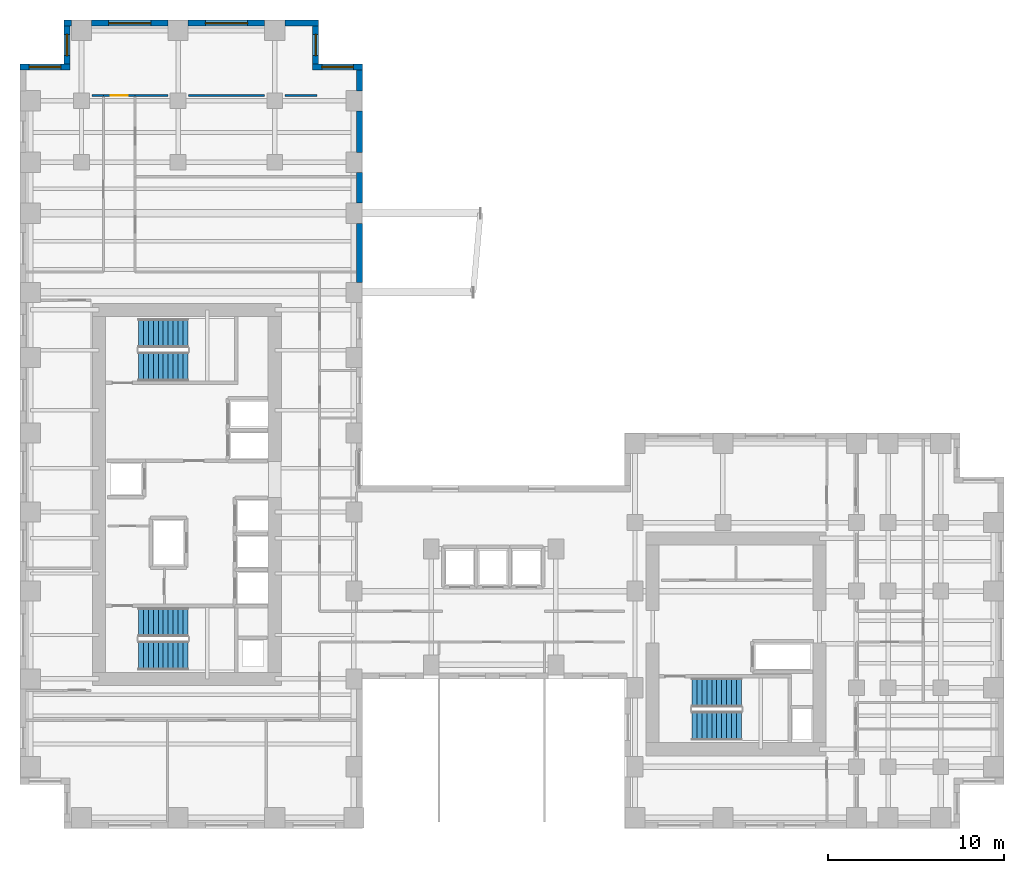
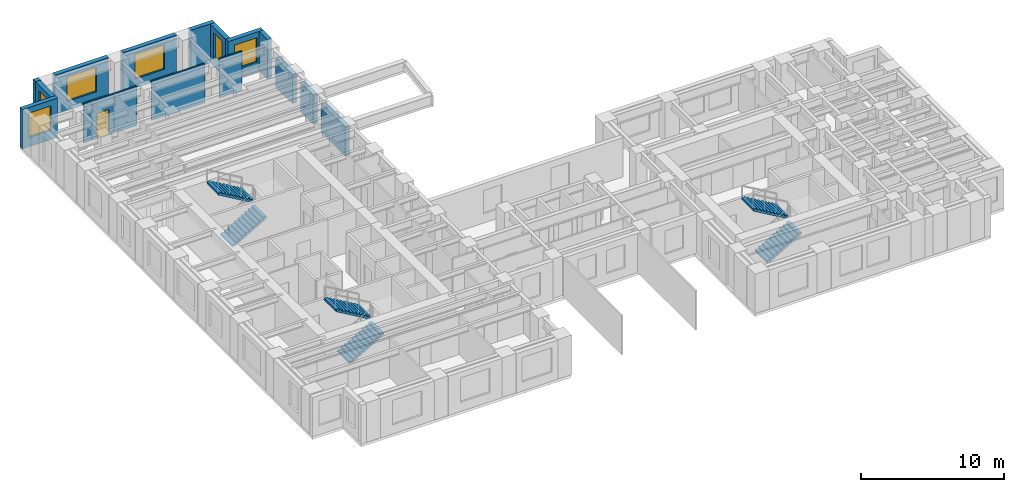
# One storey, part 11 of 13: 17 walls, 6 stair flights, 6 windows, 1 door, 7 openings, 3 elements without a shape of their own.
"""IFC4 building model written with IfcOpenShell, lengths in metres."""

import ifcopenshell
import ifcopenshell.guid

model = None  # the IFC model being written
_history = None  # IfcOwnerHistory: only IFC2X3 demands one
_inside = {}  # id of a spatial element -> (the spatial element, [elements in it])
_under = {}  # id of a project, library or spatial element -> (it, [spatial elements below it])
_declared = {}  # id of a project -> (the project, [libraries it declares])
_typed = {}  # id of a type object -> (the type object, [elements of that type])
_made_of = {}  # id of a material, layer set ... -> (it, [elements and type objects made of it])


def new_model(schema):
    """Start an empty IFC model of exactly this schema.

    Asked for "IFC4X3", IfcOpenShell would pick the latest addendum, in which some entities
    have other attributes; the version numbers below select the first issue.
    IFC2X3 requires an IfcOwnerHistory on every rooted entity: one is made here for all.
    """
    global model, _history
    if schema == "IFC4X3":
        model = ifcopenshell.file(schema_version=(4, 3, 0, 0))
    else:
        model = ifcopenshell.file(schema=schema)
    _inside.clear()
    _under.clear()
    _declared.clear()
    _typed.clear()
    _made_of.clear()
    _history = None
    if model.schema == "IFC2X3":
        org = make("IfcOrganization", Name="unknown")
        user = make(
            "IfcPersonAndOrganization",
            ThePerson=make("IfcPerson", FamilyName="unknown"),
            TheOrganization=org,
        )
        app = make(
            "IfcApplication",
            ApplicationDeveloper=org,
            Version="unknown",
            ApplicationFullName="unknown",
            ApplicationIdentifier="unknown",
        )
        _history = make(
            "IfcOwnerHistory",
            OwningUser=user,
            OwningApplication=app,
            ChangeAction="ADDED",
            CreationDate=0,
        )
    return model


def make(cls, **values):
    """One entity of the class cls with the attributes given. An attribute that is None is left unset."""
    return model.create_entity(
        cls, **{name: value for name, value in values.items() if value is not None}
    )


def rooted(cls, **values):
    """An entity with a GlobalId (a new one), such as an element, a storey or a relation."""
    return make(cls, GlobalId=ifcopenshell.guid.new(), OwnerHistory=_history, **values)


def si_unit(unit_type, name, prefix=None):
    """IfcSIUnit, for example si_unit("LENGTHUNIT", "METRE", prefix="MILLI")."""
    return make("IfcSIUnit", UnitType=unit_type, Prefix=prefix, Name=name)


def assignment(units):
    """IfcUnitAssignment: the units of a project."""
    return None if units is None else make("IfcUnitAssignment", Units=units)


def point(xyz):
    """IfcCartesianPoint."""
    return None if xyz is None else make("IfcCartesianPoint", Coordinates=xyz)


def direction(xyz):
    """IfcDirection."""
    return None if xyz is None else make("IfcDirection", DirectionRatios=xyz)


def frame(location, z_axis=None, x_axis=None):
    """IfcAxis2Placement3D, a coordinate frame: its origin and axes. An axis left out is left unset."""
    return make(
        "IfcAxis2Placement3D",
        Location=point(location),
        Axis=direction(z_axis),
        RefDirection=direction(x_axis),
    )


def frame_2d(location, x_axis=None):
    """IfcAxis2Placement2D, a coordinate frame in the plane: its origin and x axis."""
    return make(
        "IfcAxis2Placement2D", Location=point(location), RefDirection=direction(x_axis)
    )


def origin():
    """The frame at (0, 0, 0) with its axes left unset."""
    return frame((0.0, 0.0, 0.0))


def place(relative_to, where):
    """IfcLocalPlacement: puts the frame where relative to a parent placement (None: the world)."""
    return make(
        "IfcLocalPlacement", PlacementRelTo=relative_to, RelativePlacement=where
    )


def context(
    kind, dimensions, precision=None, world=None, true_north=None, identifier=None
):
    """IfcGeometricRepresentationContext, for example the 3D "Model" context."""
    return make(
        "IfcGeometricRepresentationContext",
        ContextIdentifier=identifier,
        ContextType=kind,
        CoordinateSpaceDimension=dimensions,
        Precision=precision,
        WorldCoordinateSystem=world,
        TrueNorth=true_north,
    )


def subcontext(parent, identifier, kind, view, scale=None):
    """IfcGeometricRepresentationSubContext, for example "Body" below "Model"."""
    return make(
        "IfcGeometricRepresentationSubContext",
        ContextIdentifier=identifier,
        ContextType=kind,
        ParentContext=parent,
        TargetScale=scale,
        TargetView=view,
    )


def project(units=None, contexts=None):
    """IfcProject with its units and contexts."""
    return rooted(
        "IfcProject",
        Name="project",
        RepresentationContexts=contexts,
        UnitsInContext=assignment(units),
    )


def spatial(cls, under=None, at=None, **own):
    """A site, building, storey or space (cls), placed at a placement, below another one or the project."""
    s = rooted(cls, ObjectPlacement=at, **own)
    if under is not None:
        _under.setdefault(under.id(), (under, []))[1].append(s)
    return s


def polyline(points):
    """IfcPolyline through the points."""
    return make("IfcPolyline", Points=[point(p) for p in points])


def profile(cls, at=None, kind="AREA", **sizes):
    """A parametric profile (cls). Its sizes go by their IFC names, for example OverallWidth=200.0."""
    return make(cls, ProfileType=kind, Position=at, **sizes)


def rectangle(**sizes):
    """IfcRectangleProfileDef."""
    return profile("IfcRectangleProfileDef", **sizes)


def outline(outer, holes=None, kind="AREA"):
    """IfcArbitraryClosedProfileDef: a profile drawn as a closed curve; with holes, ...WithVoids."""
    if holes is None:
        return make("IfcArbitraryClosedProfileDef", ProfileType=kind, OuterCurve=outer)
    return make(
        "IfcArbitraryProfileDefWithVoids",
        ProfileType=kind,
        OuterCurve=outer,
        InnerCurves=holes,
    )


def extrude(swept, where, along, depth):
    """IfcExtrudedAreaSolid: the profile swept, set in the frame where, extruded along a direction by depth."""
    return make(
        "IfcExtrudedAreaSolid",
        SweptArea=swept,
        Position=where,
        ExtrudedDirection=direction(along),
        Depth=depth,
    )


def shape(context_of_items, identifier, shape_type, items):
    """IfcShapeRepresentation: the items that make up one representation, for example the "Body"."""
    return make(
        "IfcShapeRepresentation",
        ContextOfItems=context_of_items,
        RepresentationIdentifier=identifier,
        RepresentationType=shape_type,
        Items=items,
    )


def source(mapping_origin, context_of_items, identifier, shape_type, items):
    """IfcRepresentationMap: a shape defined once, which mapped items show again and again."""
    return make(
        "IfcRepresentationMap",
        MappingOrigin=mapping_origin,
        MappedRepresentation=shape(context_of_items, identifier, shape_type, items),
    )


def transform(
    local_origin,
    x_axis=None,
    y_axis=None,
    z_axis=None,
    scale=None,
    scale2=None,
    scale3=None,
    uniform=True,
):
    """IfcCartesianTransformationOperator3D, or its non-uniform kind. x_axis, y_axis, z_axis: its Axis1, 2, 3."""
    if uniform:
        return make(
            "IfcCartesianTransformationOperator3D",
            Axis1=direction(x_axis),
            Axis2=direction(y_axis),
            LocalOrigin=point(local_origin),
            Scale=scale,
            Axis3=direction(z_axis),
        )
    return make(
        "IfcCartesianTransformationOperator3DnonUniform",
        Axis1=direction(x_axis),
        Axis2=direction(y_axis),
        LocalOrigin=point(local_origin),
        Scale=scale,
        Axis3=direction(z_axis),
        Scale2=scale2,
        Scale3=scale3,
    )


def mapped(mapping_source, mapping_target):
    """IfcMappedItem: shows the shape of a source again, moved by a transform."""
    return make(
        "IfcMappedItem", MappingSource=mapping_source, MappingTarget=mapping_target
    )


def material(Name=None, Category=None):
    """IfcMaterial."""
    return make("IfcMaterial", Name=Name, Category=Category)


def layer(
    of_material, thickness, ventilated=None, Name=None, Category=None, Priority=None
):
    """IfcMaterialLayer: one layer of a wall or slab, of a material (None: an air gap)."""
    return make(
        "IfcMaterialLayer",
        Material=of_material,
        LayerThickness=thickness,
        IsVentilated=ventilated,
        Name=Name,
        Category=Category,
        Priority=Priority,
    )


def layer_set(layers, Name=None):
    """IfcMaterialLayerSet."""
    return make("IfcMaterialLayerSet", MaterialLayers=layers, LayerSetName=Name)


def made_of(thing, what):
    """Note that an element or type object is made of a material, layer set ...; save() writes the relation."""
    if what is not None:
        _made_of.setdefault(what.id(), (what, []))[1].append(thing)
    return thing


def type_object(cls, material=None, **own):
    """A type object (cls), such as IfcWallType, which elements share."""
    return made_of(rooted(cls, **own), material)


def element(
    cls,
    number,
    at=None,
    inside=None,
    cuts=None,
    type_object=None,
    material=None,
    context=None,
    identifier="Body",
    shape_type=None,
    held_by="IfcProductDefinitionShape",
    body=None,
    shapes=None,
    **own,
):
    """One element of the class cls, such as IfcWall. Its Tag is "e" and its number.

    at: its placement. inside: the storey or other place that contains it. cuts: it is an
    opening in that element (IfcRelVoidsElement). A single representation is given by context,
    identifier, shape_type and body (its items); several are given by shapes. held_by: the class
    of the entity that holds the representations. save() writes the other relations.
    """
    e = rooted(cls, Tag="e%d" % number, ObjectPlacement=at, **own)
    if body is not None:
        shapes = [shape(context, identifier, shape_type, body)]
    if shapes is not None:
        e.Representation = make(held_by, Representations=shapes)
    if inside is not None:
        _inside.setdefault(inside.id(), (inside, []))[1].append(e)
    if cuts is not None:
        rooted(
            "IfcRelVoidsElement", RelatingBuildingElement=cuts, RelatedOpeningElement=e
        )
    if type_object is not None:
        _typed.setdefault(type_object.id(), (type_object, []))[1].append(e)
    return made_of(e, material)


def fill(opening, filler):
    """IfcRelFillsElement: the door or window that sits in an opening."""
    return rooted(
        "IfcRelFillsElement",
        RelatingOpeningElement=opening,
        RelatedBuildingElement=filler,
    )


def aggregate(whole, parts):
    """IfcRelAggregates: a whole, such as a stair, and the parts it consists of."""
    return rooted("IfcRelAggregates", RelatingObject=whole, RelatedObjects=parts)


def save(model, path):
    """Write the relations noted so far, then the file.

    IfcRelAggregates (storeys below a building ...), IfcRelContainedInSpatialStructure (elements
    in a storey), IfcRelDefinesByType, IfcRelAssociatesMaterial and IfcRelDeclares: one each for
    every whole, place, type object, material and project.
    """
    for whole, parts in _under.values():
        aggregate(whole, parts)
    for where, things in _inside.values():
        rooted(
            "IfcRelContainedInSpatialStructure",
            RelatedElements=things,
            RelatingStructure=where,
        )
    for kind, things in _typed.values():
        rooted("IfcRelDefinesByType", RelatedObjects=things, RelatingType=kind)
    for what, things in _made_of.values():
        rooted("IfcRelAssociatesMaterial", RelatedObjects=things, RelatingMaterial=what)
    for by, libraries in _declared.values():
        rooted("IfcRelDeclares", RelatingContext=by, RelatedDefinitions=libraries)
    model.write(path)


model = new_model("IFC4")

# Units and contexts
model_context = context("Model", 3, precision=1e-05, world=origin(), true_north=direction((0.0, 1.0)))
body_context = subcontext(model_context, "Body", "Model", "MODEL_VIEW")
ifc_project = project(units=[si_unit("LENGTHUNIT", "METRE"), si_unit("AREAUNIT", "SQUARE_METRE"), si_unit("VOLUMEUNIT", "CUBIC_METRE"), si_unit("PLANEANGLEUNIT", "RADIAN"), si_unit("MASSUNIT", "GRAM", prefix="KILO")], contexts=[model_context])

# Site, building, storey
site_placement = place(None, origin())
site = spatial("IfcSite", under=ifc_project, at=site_placement, CompositionType="ELEMENT")
building_placement = place(site_placement, origin())
building = spatial("IfcBuilding", under=site, at=building_placement, Name="Kharzan Plaza Tower", CompositionType="ELEMENT")
storey_placement = place(building_placement, frame((0.0, 0.0, 95.39990234375)))
storey = spatial("IfcBuildingStorey", under=building, at=storey_placement, Name="L25", CompositionType="ELEMENT", Elevation=95.39990234375)

# Wall, opening, window
ifc_material_1 = material(Name="Concrete C40/50", Category="concrete")
ifc_layer_1 = layer(ifc_material_1, 0.35009765625)
ifc_layer_set_1 = layer_set([ifc_layer_1], Name="Concrete C40/50")
wall_type_1 = type_object("IfcWallType", Name="WL-EXT-MAS-Z2", PredefinedType="SOLIDWALL", material=ifc_layer_set_1)
wall_1_placement = place(storey_placement, frame((19.5, 43.324951171875, 0.0), z_axis=(0.0, 0.0, 1.0), x_axis=(-1.0, 0.0, 0.0)))
wall_1 = element("IfcWall", 1, at=wall_1_placement, inside=storey, type_object=wall_type_1, Name="L25 Masonry-Frame Exterior Wall 08", PredefinedType="SOLIDWALL", context=body_context, shape_type="SweptSolid", body=[
    extrude(rectangle(XDim=2.85009765625, YDim=0.35009765625, at=frame_2d((1.425048828125, 0.0))), origin(), (0.0, 0.0, 1.0), 3.364990234375),
])
opening_1_placement = place(wall_1_placement, frame((0.52490234375, 0.0, 0.780029296875)))
opening_1 = element("IfcOpeningElement", 2, at=opening_1_placement, cuts=wall_1, Name="Opening W1", PredefinedType="OPENING", context=body_context, shape_type="SweptSolid", body=[
    extrude(rectangle(XDim=1.800048828125, YDim=2.10009765625, at=frame_2d((0.89990234375, 1.050048828125))), frame((0.0, 0.18505859375, 0.0), z_axis=(0.0, -1.0, 0.0), x_axis=(1.0, 0.0, 0.0)), (0.0, 0.0, 1.0), 0.3701171875),
])
ifc_material_2 = material(Name="Low-E Double Glazing", Category="glass")
window_type_1 = type_object("IfcWindowType", Name="WN-REC-1800x2100", PartitioningType="SINGLE_PANEL", PredefinedType="WINDOW", material=ifc_material_2)
shared_shape_1 = source(origin(), body_context, "Body", "SweptSolid", [
    extrude(rectangle(XDim=1.800048828125, YDim=2.10009765625, at=frame_2d((0.89990234375, 1.050048828125))), frame((0.0, 0.030029296875, 0.0), z_axis=(0.0, -1.0, 0.0), x_axis=(1.0, 0.0, 0.0)), (0.0, 0.0, 1.0), 0.06005859375),
])
window_1_placement = place(opening_1_placement, origin())
window_1 = element("IfcWindow", 3, at=window_1_placement, inside=storey, type_object=window_type_1, Name="L25 Recessed Solar-Control Window 08-1", OverallHeight=2.10009765625, OverallWidth=1.800048828125, PartitioningType="SINGLE_PANEL", PredefinedType="WINDOW", context=body_context, shape_type="MappedRepresentation", body=[
    mapped(shared_shape_1, transform((0.0, 0.0, 0.0), x_axis=(1.0, 0.0, 0.0), y_axis=(0.0, 1.0, 0.0), z_axis=(0.0, 0.0, 1.0))),
])
fill(opening_1, window_1)

wall_2_placement = place(storey_placement, frame((16.824951171875, 43.498046875, 0.0), z_axis=(0.0, 0.0, 1.0), x_axis=(0.0, 1.0, 0.0)))
wall_2 = element("IfcWall", 4, at=wall_2_placement, inside=storey, type_object=wall_type_1, Name="L25 Masonry-Frame Exterior Wall 09", PredefinedType="SOLIDWALL", context=body_context, shape_type="SweptSolid", body=[
    extrude(rectangle(XDim=2.154052734375, YDim=0.35009765625, at=frame_2d((1.0771484375, 0.0))), origin(), (0.0, 0.0, 1.0), 3.364990234375),
])
opening_2_placement = place(wall_2_placement, frame((0.47705078125, 0.0, 0.780029296875)))
opening_2 = element("IfcOpeningElement", 5, at=opening_2_placement, cuts=wall_2, Name="Opening W3", PredefinedType="OPENING", context=body_context, shape_type="SweptSolid", body=[
    extrude(rectangle(XDim=1.199951171875, YDim=2.10009765625, at=frame_2d((0.60009765625, 1.050048828125))), frame((0.0, 0.18505859375, 0.0), z_axis=(0.0, -1.0, 0.0), x_axis=(1.0, 0.0, 0.0)), (0.0, 0.0, 1.0), 0.3701171875),
])
window_type_2 = type_object("IfcWindowType", Name="WN-REC-1200x2100", PartitioningType="SINGLE_PANEL", PredefinedType="WINDOW", material=ifc_material_2)
shared_shape_2 = source(origin(), body_context, "Body", "SweptSolid", [
    extrude(rectangle(XDim=1.199951171875, YDim=2.10009765625, at=frame_2d((0.60009765625, 1.050048828125))), frame((0.0, 0.030029296875, 0.0), z_axis=(0.0, -1.0, 0.0), x_axis=(1.0, 0.0, 0.0)), (0.0, 0.0, 1.0), 0.06005859375),
])
window_2_placement = place(opening_2_placement, origin())
window_2 = element("IfcWindow", 6, at=window_2_placement, inside=storey, type_object=window_type_2, Name="L25 Recessed Solar-Control Window 09-1", OverallHeight=2.10009765625, OverallWidth=1.199951171875, PartitioningType="SINGLE_PANEL", PredefinedType="WINDOW", context=body_context, shape_type="MappedRepresentation", body=[
    mapped(shared_shape_2, transform((0.0, 0.0, 0.0), x_axis=(1.0, 0.0, 0.0), y_axis=(0.0, 1.0, 0.0), z_axis=(0.0, 0.0, 1.0))),
])
fill(opening_2, window_2)

wall_3_placement = place(storey_placement, frame((13.927001953125, 45.824951171875, 0.0), z_axis=(0.0, 0.0, 1.0), x_axis=(-1.0, 0.0, 0.0)))
wall_3 = element("IfcWall", 7, at=wall_3_placement, inside=storey, type_object=wall_type_1, Name="L25 Masonry-Frame Exterior Wall 11", PredefinedType="SOLIDWALL", context=body_context, shape_type="SweptSolid", body=[
    extrude(rectangle(XDim=4.35400390625, YDim=0.35009765625, at=frame_2d((2.177001953125, 0.0))), origin(), (0.0, 0.0, 1.0), 3.364990234375),
])
opening_3_placement = place(wall_3_placement, frame((0.97705078125, 0.0, 0.780029296875)))
opening_3 = element("IfcOpeningElement", 8, at=opening_3_placement, cuts=wall_3, Name="Opening W2", PredefinedType="OPENING", context=body_context, shape_type="SweptSolid", body=[
    extrude(rectangle(XDim=2.39990234375, YDim=2.10009765625, at=frame_2d((1.199951171875, 1.050048828125))), frame((0.0, 0.18505859375, 0.0), z_axis=(0.0, -1.0, 0.0), x_axis=(1.0, 0.0, 0.0)), (0.0, 0.0, 1.0), 0.3701171875),
])
window_type_3 = type_object("IfcWindowType", Name="WN-REC-2400x2100", PartitioningType="SINGLE_PANEL", PredefinedType="WINDOW", material=ifc_material_2)
shared_shape_3 = source(origin(), body_context, "Body", "SweptSolid", [
    extrude(rectangle(XDim=2.39990234375, YDim=2.10009765625, at=frame_2d((1.199951171875, 1.050048828125))), frame((0.0, 0.030029296875, 0.0), z_axis=(0.0, -1.0, 0.0), x_axis=(1.0, 0.0, 0.0)), (0.0, 0.0, 1.0), 0.06005859375),
])
window_3_placement = place(opening_3_placement, origin())
window_3 = element("IfcWindow", 9, at=window_3_placement, inside=storey, type_object=window_type_3, Name="L25 Wide Recessed Solar-Control Window 11-1", OverallHeight=2.10009765625, OverallWidth=2.39990234375, PartitioningType="SINGLE_PANEL", PredefinedType="WINDOW", context=body_context, shape_type="MappedRepresentation", body=[
    mapped(shared_shape_3, transform((0.0, 0.0, 0.0), x_axis=(1.0, 0.0, 0.0), y_axis=(0.0, 1.0, 0.0), z_axis=(0.0, 0.0, 1.0))),
])
fill(opening_3, window_3)

wall_4_placement = place(storey_placement, frame((8.427001953125, 45.824951171875, 0.0), z_axis=(0.0, 0.0, 1.0), x_axis=(-1.0, 0.0, 0.0)))
wall_4 = element("IfcWall", 10, at=wall_4_placement, inside=storey, type_object=wall_type_1, Name="L25 Masonry-Frame Exterior Wall 12", PredefinedType="SOLIDWALL", context=body_context, shape_type="SweptSolid", body=[
    extrude(rectangle(XDim=4.35400390625, YDim=0.35009765625, at=frame_2d((2.177001953125, 0.0))), origin(), (0.0, 0.0, 1.0), 3.364990234375),
])
opening_4_placement = place(wall_4_placement, frame((0.97705078125, 0.0, 0.780029296875)))
opening_4 = element("IfcOpeningElement", 11, at=opening_4_placement, cuts=wall_4, Name="Opening W2", PredefinedType="OPENING", context=body_context, shape_type="SweptSolid", body=[
    extrude(rectangle(XDim=2.39990234375, YDim=2.10009765625, at=frame_2d((1.199951171875, 1.050048828125))), frame((0.0, 0.18505859375, 0.0), z_axis=(0.0, -1.0, 0.0), x_axis=(1.0, 0.0, 0.0)), (0.0, 0.0, 1.0), 0.3701171875),
])
window_4_placement = place(opening_4_placement, origin())
window_4 = element("IfcWindow", 12, at=window_4_placement, inside=storey, type_object=window_type_3, Name="L25 Wide Recessed Solar-Control Window 12-1", OverallHeight=2.10009765625, OverallWidth=2.39990234375, PartitioningType="SINGLE_PANEL", PredefinedType="WINDOW", context=body_context, shape_type="MappedRepresentation", body=[
    mapped(shared_shape_3, transform((0.0, 0.0, 0.0), x_axis=(1.0, 0.0, 0.0), y_axis=(0.0, 1.0, 0.0), z_axis=(0.0, 0.0, 1.0))),
])
fill(opening_4, window_4)

wall_5_placement = place(storey_placement, frame((2.675048828125, 45.652099609375, 0.0), z_axis=(0.0, 0.0, 1.0), x_axis=(0.0, -1.0, 0.0)))
wall_5 = element("IfcWall", 13, at=wall_5_placement, inside=storey, type_object=wall_type_1, Name="L25 Masonry-Frame Exterior Wall 14", PredefinedType="SOLIDWALL", context=body_context, shape_type="SweptSolid", body=[
    extrude(rectangle(XDim=2.154052734375, YDim=0.35009765625, at=frame_2d((1.0771484375, 0.0))), origin(), (0.0, 0.0, 1.0), 3.364990234375),
])
opening_5_placement = place(wall_5_placement, frame((0.47705078125, 0.0, 0.780029296875)))
opening_5 = element("IfcOpeningElement", 14, at=opening_5_placement, cuts=wall_5, Name="Opening W3", PredefinedType="OPENING", context=body_context, shape_type="SweptSolid", body=[
    extrude(rectangle(XDim=1.199951171875, YDim=2.10009765625, at=frame_2d((0.60009765625, 1.050048828125))), frame((0.0, 0.18505859375, 0.0), z_axis=(0.0, -1.0, 0.0), x_axis=(1.0, 0.0, 0.0)), (0.0, 0.0, 1.0), 0.3701171875),
])
window_5_placement = place(opening_5_placement, origin())
window_5 = element("IfcWindow", 15, at=window_5_placement, inside=storey, type_object=window_type_2, Name="L25 Recessed Solar-Control Window 14-1", OverallHeight=2.10009765625, OverallWidth=1.199951171875, PartitioningType="SINGLE_PANEL", PredefinedType="WINDOW", context=body_context, shape_type="MappedRepresentation", body=[
    mapped(shared_shape_2, transform((0.0, 0.0, 0.0), x_axis=(1.0, 0.0, 0.0), y_axis=(0.0, 1.0, 0.0), z_axis=(0.0, 0.0, 1.0))),
])
fill(opening_5, window_5)

wall_6_placement = place(storey_placement, frame((2.85009765625, 43.324951171875, 0.0), z_axis=(0.0, 0.0, 1.0), x_axis=(-1.0, 0.0, 0.0)))
wall_6 = element("IfcWall", 16, at=wall_6_placement, inside=storey, type_object=wall_type_1, Name="L25 Masonry-Frame Exterior Wall 15", PredefinedType="SOLIDWALL", context=body_context, shape_type="SweptSolid", body=[
    extrude(rectangle(XDim=2.85009765625, YDim=0.35009765625, at=frame_2d((1.425048828125, 0.0))), origin(), (0.0, 0.0, 1.0), 3.364990234375),
])
opening_6_placement = place(wall_6_placement, frame((0.52490234375, 0.0, 0.780029296875)))
opening_6 = element("IfcOpeningElement", 17, at=opening_6_placement, cuts=wall_6, Name="Opening W1", PredefinedType="OPENING", context=body_context, shape_type="SweptSolid", body=[
    extrude(rectangle(XDim=1.800048828125, YDim=2.10009765625, at=frame_2d((0.89990234375, 1.050048828125))), frame((0.0, 0.18505859375, 0.0), z_axis=(0.0, -1.0, 0.0), x_axis=(1.0, 0.0, 0.0)), (0.0, 0.0, 1.0), 0.3701171875),
])
window_6_placement = place(opening_6_placement, origin())
window_6 = element("IfcWindow", 18, at=window_6_placement, inside=storey, type_object=window_type_1, Name="L25 Recessed Solar-Control Window 15-1", OverallHeight=2.10009765625, OverallWidth=1.800048828125, PartitioningType="SINGLE_PANEL", PredefinedType="WINDOW", context=body_context, shape_type="MappedRepresentation", body=[
    mapped(shared_shape_1, transform((0.0, 0.0, 0.0), x_axis=(1.0, 0.0, 0.0), y_axis=(0.0, 1.0, 0.0), z_axis=(0.0, 0.0, 1.0))),
])
fill(opening_6, window_6)

# Wall, opening, door
ifc_material_3 = material(Name="Fire-Rated Gypsum Board Partition", Category="gypsum")
ifc_layer_2 = layer(ifc_material_3, 0.125)
ifc_layer_set_2 = layer_set([ifc_layer_2], Name="Fire-Rated Gypsum Board Partition")
wall_type_2 = type_object("IfcWallType", Name="WL-INT-PART-125", PredefinedType="PARTITIONING", material=ifc_layer_set_2)
wall_7_placement = place(storey_placement, frame((4.75, 41.699951171875, 0.0), z_axis=(0.0, 0.0, 1.0), x_axis=(1.0, 0.0, 0.0)))
wall_7 = element("IfcWall", 19, at=wall_7_placement, inside=storey, type_object=wall_type_2, Name="L25 Interior Partition SH-SPHD", PredefinedType="PARTITIONING", context=body_context, shape_type="SweptSolid", body=[
    extrude(rectangle(XDim=1.800048828125, YDim=0.125, at=frame_2d((0.89990234375, 0.0))), origin(), (0.0, 0.0, 1.0), 3.364990234375),
])
opening_7_placement = place(wall_7_placement, frame((0.425048828125, 0.0, 0.0)))
opening_7 = element("IfcOpeningElement", 20, at=opening_7_placement, cuts=wall_7, Name="Opening OD1", PredefinedType="OPENING", context=body_context, shape_type="SweptSolid", body=[
    extrude(rectangle(XDim=0.949951171875, YDim=2.14990234375, at=frame_2d((0.47509765625, 1.074951171875))), frame((0.0, 0.072509765625, 0.0), z_axis=(0.0, -1.0, 0.0), x_axis=(1.0, 0.0, 0.0)), (0.0, 0.0, 1.0), 0.14501953125),
])
ifc_material_4 = material(Name="Acoustic Solid-Core Stained Oak", Category="timber")
door_type = type_object("IfcDoorType", Name="DR-OFF-SINGLE", OperationType="NOTDEFINED", PredefinedType="DOOR", material=ifc_material_4)
shared_shape_4 = source(origin(), body_context, "Body", "SweptSolid", [
    extrude(rectangle(XDim=0.949951171875, YDim=2.14990234375, at=frame_2d((0.47509765625, 1.074951171875))), frame((0.0, 0.02490234375, 0.0), z_axis=(0.0, -1.0, 0.0), x_axis=(1.0, 0.0, 0.0)), (0.0, 0.0, 1.0), 0.050048828125),
])
door_placement = place(opening_7_placement, origin())
door = element("IfcDoor", 21, at=door_placement, inside=storey, type_object=door_type, Name="L25 North Boardroom Door", OperationType="SINGLE_SWING_RIGHT", OverallHeight=2.14990234375, OverallWidth=0.949951171875, PredefinedType="DOOR", context=body_context, shape_type="MappedRepresentation", body=[
    mapped(shared_shape_4, transform((0.0, 0.0, 0.0), x_axis=(1.0, 0.0, 0.0), y_axis=(0.0, 1.0, 0.0), z_axis=(0.0, 0.0, 1.0))),
])
fill(opening_7, door)

# Walls
shared_shape_5 = source(origin(), body_context, "Body", "SweptSolid", [
    extrude(rectangle(XDim=1.927001953125, YDim=0.35009765625, at=frame_2d((0.96337890625, 0.0))), origin(), (0.0, 0.0, 1.0), 3.364990234375),
])
wall_8_placement = place(storey_placement, frame((17.0, 45.824951171875, 0.0), z_axis=(0.0, 0.0, 1.0), x_axis=(-1.0, 0.0, 0.0)))
element("IfcWall", 22, at=wall_8_placement, inside=storey, type_object=wall_type_1, Name="L25 Masonry-Frame Exterior Wall 10", PredefinedType="SOLIDWALL", context=body_context, shape_type="MappedRepresentation", body=[
    mapped(shared_shape_5, transform((0.0, 0.0, 0.0), x_axis=(1.0, 0.0, 0.0), y_axis=(0.0, 1.0, 0.0), z_axis=(0.0, 0.0, 1.0))),
])
shared_shape_6 = source(origin(), body_context, "Body", "SweptSolid", [
    extrude(rectangle(XDim=0.427001953125, YDim=0.35009765625, at=frame_2d((0.21337890625, 0.0))), origin(), (0.0, 0.0, 1.0), 3.364990234375),
])
wall_9_placement = place(storey_placement, frame((2.927001953125, 45.824951171875, 0.0), z_axis=(0.0, 0.0, 1.0), x_axis=(-1.0, 0.0, 0.0)))
element("IfcWall", 23, at=wall_9_placement, inside=storey, type_object=wall_type_1, Name="L25 Masonry-Frame Exterior Wall 13", PredefinedType="SOLIDWALL", context=body_context, shape_type="MappedRepresentation", body=[
    mapped(shared_shape_6, transform((0.0, 0.0, 0.0), x_axis=(1.0, 0.0, 0.0), y_axis=(0.0, 1.0, 0.0), z_axis=(0.0, 0.0, 1.0))),
])
shared_shape_7 = source(origin(), body_context, "Body", "SweptSolid", [
    extrude(rectangle(XDim=1.17919921875, YDim=0.35009765625, at=frame_2d((0.589599609375, 0.0))), origin(), (0.0, 0.0, 1.0), 3.364990234375),
])
wall_10_placement = place(storey_placement, frame((19.324951171875, 41.972900390625, 0.0), z_axis=(0.0, 0.0, 1.0), x_axis=(0.0, 1.0, 0.0)))
element("IfcWall", 24, at=wall_10_placement, inside=storey, type_object=wall_type_1, Name="L25 Masonry-Frame Exterior Wall 07", PredefinedType="SOLIDWALL", context=body_context, shape_type="MappedRepresentation", body=[
    mapped(shared_shape_7, transform((0.0, 0.0, 0.0), x_axis=(1.0, 0.0, 0.0), y_axis=(0.0, 1.0, 0.0), z_axis=(0.0, 0.0, 1.0))),
])
shared_shape_8 = source(origin(), body_context, "Body", "SweptSolid", [
    extrude(rectangle(XDim=1.75390625, YDim=0.35009765625, at=frame_2d((0.876953125, 0.0))), origin(), (0.0, 0.0, 1.0), 2.51904296875),
])
wall_11_placement = place(storey_placement, frame((19.324951171875, 35.572998046875, 0.0), z_axis=(0.0, 0.0, 1.0), x_axis=(0.0, 1.0, 0.0)))
element("IfcWall", 25, at=wall_11_placement, inside=storey, type_object=wall_type_1, Name="L25 Masonry-Frame Exterior Wall 05", PredefinedType="SOLIDWALL", context=body_context, shape_type="MappedRepresentation", body=[
    mapped(shared_shape_8, transform((0.0, 0.0, 0.0), x_axis=(1.0, 0.0, 0.0), y_axis=(0.0, 1.0, 0.0), z_axis=(0.0, 0.0, 1.0))),
])
shared_shape_9 = source(origin(), body_context, "Body", "SweptSolid", [
    extrude(rectangle(XDim=3.35400390625, YDim=0.35009765625, at=frame_2d((1.677001953125, 0.0))), origin(), (0.0, 0.0, 1.0), 2.51904296875),
])
wall_12_placement = place(storey_placement, frame((19.324951171875, 31.072998046875, 0.0), z_axis=(0.0, 0.0, 1.0), x_axis=(0.0, 1.0, 0.0)))
element("IfcWall", 26, at=wall_12_placement, inside=storey, type_object=wall_type_1, Name="L25 Masonry-Frame Exterior Wall 04", PredefinedType="SOLIDWALL", context=body_context, shape_type="MappedRepresentation", body=[
    mapped(shared_shape_9, transform((0.0, 0.0, 0.0), x_axis=(1.0, 0.0, 0.0), y_axis=(0.0, 1.0, 0.0), z_axis=(0.0, 0.0, 1.0))),
])
shared_shape_10 = source(origin(), body_context, "Body", "SweptSolid", [
    extrude(rectangle(XDim=2.35400390625, YDim=0.35009765625, at=frame_2d((1.177001953125, 0.0))), origin(), (0.0, 0.0, 1.0), 2.51904296875),
])
wall_13_placement = place(storey_placement, frame((19.324951171875, 38.472900390625, 0.0), z_axis=(0.0, 0.0, 1.0), x_axis=(0.0, 1.0, 0.0)))
element("IfcWall", 27, at=wall_13_placement, inside=storey, type_object=wall_type_1, Name="L25 Masonry-Frame Exterior Wall 06", PredefinedType="SOLIDWALL", context=body_context, shape_type="MappedRepresentation", body=[
    mapped(shared_shape_10, transform((0.0, 0.0, 0.0), x_axis=(1.0, 0.0, 0.0), y_axis=(0.0, 1.0, 0.0), z_axis=(0.0, 0.0, 1.0))),
])
shared_shape_11 = source(origin(), body_context, "Body", "SweptSolid", [
    extrude(rectangle(XDim=0.659912109375, YDim=0.125, at=frame_2d((0.330078125, 0.0))), origin(), (0.0, 0.0, 1.0), 3.364990234375),
])
wall_14_placement = place(storey_placement, frame((4.090087890625, 41.699951171875, 0.0), z_axis=(0.0, 0.0, 1.0), x_axis=(1.0, 0.0, 0.0)))
element("IfcWall", 28, at=wall_14_placement, inside=storey, type_object=wall_type_2, Name="L25 Interior Partition SH-SPHW", PredefinedType="PARTITIONING", context=body_context, shape_type="MappedRepresentation", body=[
    mapped(shared_shape_11, transform((0.0, 0.0, 0.0), x_axis=(1.0, 0.0, 0.0), y_axis=(0.0, 1.0, 0.0), z_axis=(0.0, 0.0, 1.0))),
])
shared_shape_12 = source(origin(), body_context, "Body", "SweptSolid", [
    extrude(rectangle(XDim=1.85986328125, YDim=0.125, at=frame_2d((0.929931640625, 0.0))), origin(), (0.0, 0.0, 1.0), 3.364990234375),
])
wall_15_placement = place(storey_placement, frame((6.550048828125, 41.699951171875, 0.0), z_axis=(0.0, 0.0, 1.0), x_axis=(1.0, 0.0, 0.0)))
element("IfcWall", 29, at=wall_15_placement, inside=storey, type_object=wall_type_2, Name="L25 Interior Partition SH-SPHE-S1", PredefinedType="PARTITIONING", context=body_context, shape_type="MappedRepresentation", body=[
    mapped(shared_shape_12, transform((0.0, 0.0, 0.0), x_axis=(1.0, 0.0, 0.0), y_axis=(0.0, 1.0, 0.0), z_axis=(0.0, 0.0, 1.0))),
])
shared_shape_13 = source(origin(), body_context, "Body", "SweptSolid", [
    extrude(rectangle(XDim=4.31982421875, YDim=0.125, at=frame_2d((2.159912109375, 0.0))), origin(), (0.0, 0.0, 1.0), 3.364990234375),
])
wall_16_placement = place(storey_placement, frame((9.590087890625, 41.699951171875, 0.0), z_axis=(0.0, 0.0, 1.0), x_axis=(1.0, 0.0, 0.0)))
element("IfcWall", 30, at=wall_16_placement, inside=storey, type_object=wall_type_2, Name="L25 Interior Partition SH-SPHE-S2", PredefinedType="PARTITIONING", context=body_context, shape_type="MappedRepresentation", body=[
    mapped(shared_shape_13, transform((0.0, 0.0, 0.0), x_axis=(1.0, 0.0, 0.0), y_axis=(0.0, 1.0, 0.0), z_axis=(0.0, 0.0, 1.0))),
])
shared_shape_14 = source(origin(), body_context, "Body", "SweptSolid", [
    extrude(rectangle(XDim=1.809814453125, YDim=0.125, at=frame_2d((0.90478515625, 0.0))), origin(), (0.0, 0.0, 1.0), 3.364990234375),
])
wall_17_placement = place(storey_placement, frame((15.090087890625, 41.699951171875, 0.0), z_axis=(0.0, 0.0, 1.0), x_axis=(1.0, 0.0, 0.0)))
element("IfcWall", 31, at=wall_17_placement, inside=storey, type_object=wall_type_2, Name="L25 Interior Partition SH-SPHE-S3", PredefinedType="PARTITIONING", context=body_context, shape_type="MappedRepresentation", body=[
    mapped(shared_shape_14, transform((0.0, 0.0, 0.0), x_axis=(1.0, 0.0, 0.0), y_axis=(0.0, 1.0, 0.0), z_axis=(0.0, 0.0, 1.0))),
])

# Stair, stair flights
stair_type_1 = type_object("IfcStairType", Name="STR-ST-1", PredefinedType="HALF_TURN_STAIR", material=ifc_material_1)
stair_1_placement = place(storey_placement, origin())
stair_1 = element("IfcStair", 32, at=stair_1_placement, inside=storey, type_object=stair_type_1, Name="L25 Protected Exit Stair ST-1", PredefinedType="HALF_TURN_STAIR")
stair_flight_type = type_object("IfcStairFlightType", Name="SFL-1650-R173", PredefinedType="STRAIGHT", material=ifc_material_1)
shared_shape_15 = source(origin(), body_context, "Body", "SweptSolid", [
    extrude(outline(polyline([(-0.0029296875, -0.011962890625), (-0.0029296875, 0.0), (0.0, 0.0), (0.0, 0.16357421875), (0.280029296875, 0.16357421875), (0.280029296875, 0.3271484375), (0.56005859375, 0.3271484375), (0.56005859375, 0.49072265625), (0.840087890625, 0.49072265625), (0.840087890625, 0.654296875), (1.1201171875, 0.654296875), (1.1201171875, 0.81787109375), (1.400146484375, 0.81787109375), (1.400146484375, 0.9814453125), (1.68017578125, 0.9814453125), (1.68017578125, 1.14501953125), (1.960205078125, 1.14501953125), (1.960205078125, 1.30859375), (2.240234375, 1.30859375), (2.240234375, 1.47216796875), (2.520263671875, 1.47216796875), (2.520263671875, 1.6357421875), (2.80029296875, 1.6357421875), (2.80029296875, 1.79931640625), (2.80029296875, 1.462158203125), (0.297119140625, 0.0), (0.297119140625, -0.011962890625), (-0.0029296875, -0.011962890625)])), frame((0.0, 0.824951171875, 0.0), z_axis=(0.0, -1.0, 0.0), x_axis=(1.0, 0.0, 0.0)), (0.0, 0.0, 1.0), 1.64990234375),
])
stair_flight_1_placement = place(storey_placement, frame((6.75, 9.824951171875, 0.0), z_axis=(0.0, 0.0, 1.0), x_axis=(1.0, 0.0, 0.0)))
stair_flight_1 = element("IfcStairFlight", 33, at=stair_flight_1_placement, type_object=stair_flight_type, Name="ST-1 flight 1", NumberOfRisers=11, NumberOfTreads=10, PredefinedType="STRAIGHT", RiserHeight=0.163636364, TreadLength=0.28, context=body_context, shape_type="MappedRepresentation", body=[
    mapped(shared_shape_15, transform((0.0, 0.0, 0.0), x_axis=(1.0, 0.0, 0.0), y_axis=(0.0, 1.0, 0.0), z_axis=(0.0, 0.0, 1.0))),
])
stair_flight_2_placement = place(storey_placement, frame((9.550048828125, 11.72509765625, 1.800048828125), z_axis=(0.0, 0.0, 1.0), x_axis=(-1.0, 0.0, 0.0)))
stair_flight_2 = element("IfcStairFlight", 34, at=stair_flight_2_placement, type_object=stair_flight_type, Name="ST-1 flight 2", NumberOfRisers=11, NumberOfTreads=10, PredefinedType="STRAIGHT", RiserHeight=0.163636364, TreadLength=0.28, context=body_context, shape_type="MappedRepresentation", body=[
    mapped(shared_shape_15, transform((0.0, 0.0, 0.0), x_axis=(1.0, 0.0, 0.0), y_axis=(0.0, 1.0, 0.0), z_axis=(0.0, 0.0, 1.0))),
])
aggregate(stair_1, [stair_flight_1, stair_flight_2])

stair_type_2 = type_object("IfcStairType", Name="STR-ST-2", PredefinedType="HALF_TURN_STAIR", material=ifc_material_1)
stair_2_placement = place(storey_placement, origin())
stair_2 = element("IfcStair", 35, at=stair_2_placement, inside=storey, type_object=stair_type_2, Name="L25 Protected Exit Stair ST-2", PredefinedType="HALF_TURN_STAIR")
stair_flight_3_placement = place(storey_placement, frame((6.75, 26.27490234375, 0.0), z_axis=(0.0, 0.0, 1.0), x_axis=(1.0, 0.0, 0.0)))
stair_flight_3 = element("IfcStairFlight", 36, at=stair_flight_3_placement, type_object=stair_flight_type, Name="ST-2 flight 1", NumberOfRisers=11, NumberOfTreads=10, PredefinedType="STRAIGHT", RiserHeight=0.163636364, TreadLength=0.28, context=body_context, shape_type="MappedRepresentation", body=[
    mapped(shared_shape_15, transform((0.0, 0.0, 0.0), x_axis=(1.0, 0.0, 0.0), y_axis=(0.0, 1.0, 0.0), z_axis=(0.0, 0.0, 1.0))),
])
stair_flight_4_placement = place(storey_placement, frame((9.550048828125, 28.175048828125, 1.800048828125), z_axis=(0.0, 0.0, 1.0), x_axis=(-1.0, 0.0, 0.0)))
stair_flight_4 = element("IfcStairFlight", 37, at=stair_flight_4_placement, type_object=stair_flight_type, Name="ST-2 flight 2", NumberOfRisers=11, NumberOfTreads=10, PredefinedType="STRAIGHT", RiserHeight=0.163636364, TreadLength=0.28, context=body_context, shape_type="MappedRepresentation", body=[
    mapped(shared_shape_15, transform((0.0, 0.0, 0.0), x_axis=(1.0, 0.0, 0.0), y_axis=(0.0, 1.0, 0.0), z_axis=(0.0, 0.0, 1.0))),
])
aggregate(stair_2, [stair_flight_3, stair_flight_4])

stair_type_3 = type_object("IfcStairType", Name="STR-ST-3", PredefinedType="HALF_TURN_STAIR", material=ifc_material_1)
stair_3_placement = place(storey_placement, origin())
stair_3 = element("IfcStair", 38, at=stair_3_placement, inside=storey, type_object=stair_type_3, Name="L25 Protected Exit Stair ST-3", PredefinedType="HALF_TURN_STAIR")
stair_flight_5_placement = place(storey_placement, frame((38.25, 5.824951171875, 0.0), z_axis=(0.0, 0.0, 1.0), x_axis=(1.0, 0.0, 0.0)))
stair_flight_5 = element("IfcStairFlight", 39, at=stair_flight_5_placement, type_object=stair_flight_type, Name="ST-3 flight 1", NumberOfRisers=11, NumberOfTreads=10, PredefinedType="STRAIGHT", RiserHeight=0.163636364, TreadLength=0.28, context=body_context, shape_type="MappedRepresentation", body=[
    mapped(shared_shape_15, transform((0.0, 0.0, 0.0), x_axis=(1.0, 0.0, 0.0), y_axis=(0.0, 1.0, 0.0), z_axis=(0.0, 0.0, 1.0))),
])
stair_flight_6_placement = place(storey_placement, frame((41.050048828125, 7.72509765625, 1.800048828125), z_axis=(0.0, 0.0, 1.0), x_axis=(-1.0, 0.0, 0.0)))
stair_flight_6 = element("IfcStairFlight", 40, at=stair_flight_6_placement, type_object=stair_flight_type, Name="ST-3 flight 2", NumberOfRisers=11, NumberOfTreads=10, PredefinedType="STRAIGHT", RiserHeight=0.163636364, TreadLength=0.28, context=body_context, shape_type="MappedRepresentation", body=[
    mapped(shared_shape_15, transform((0.0, 0.0, 0.0), x_axis=(1.0, 0.0, 0.0), y_axis=(0.0, 1.0, 0.0), z_axis=(0.0, 0.0, 1.0))),
])
aggregate(stair_3, [stair_flight_5, stair_flight_6])

save(model, "model.ifc")
